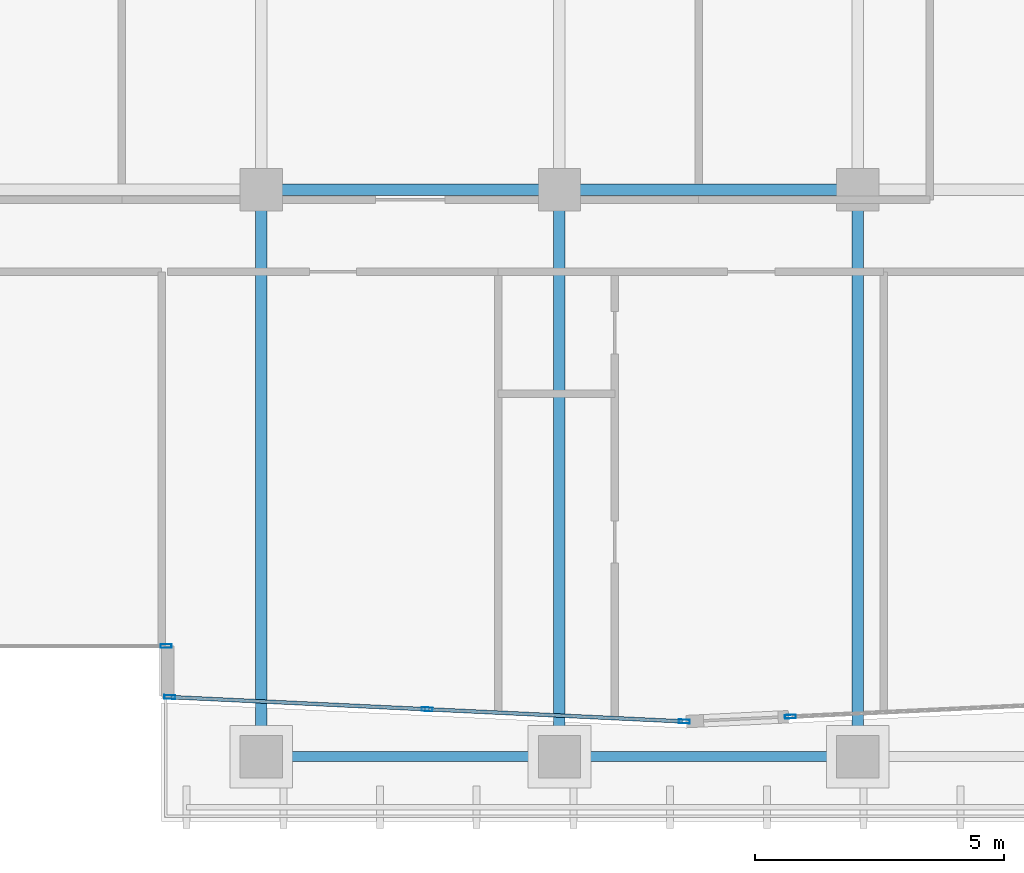
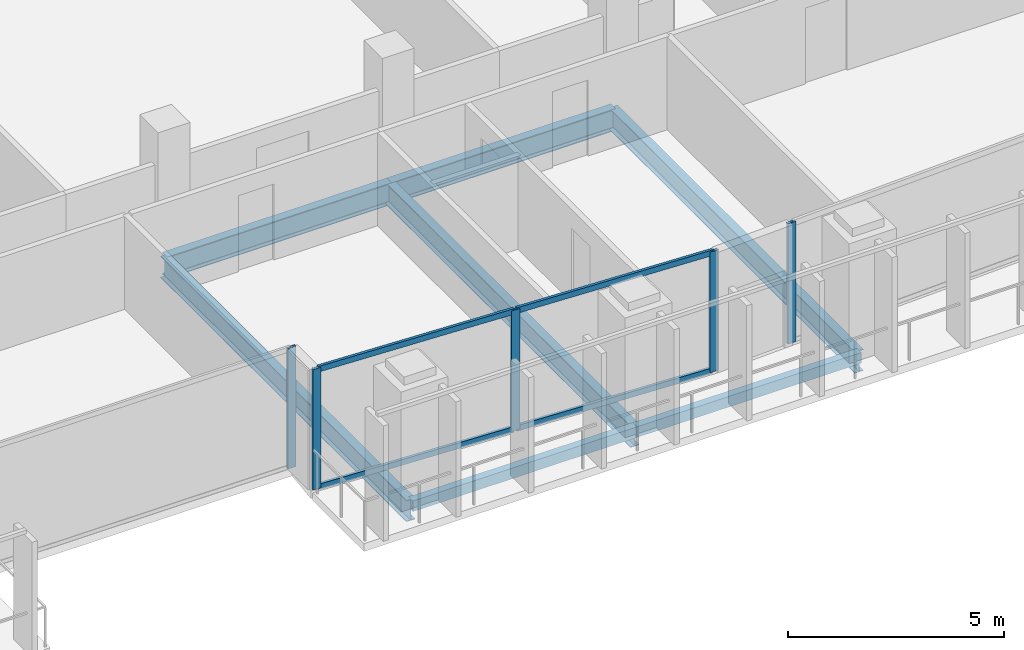
# One storey, part 5 of 28: 9 members, 7 beams, 3 elements without a shape of their own.
"""IFC4 building model written with IfcOpenShell, lengths in metres."""

from ifc_helpers import new_model, si_unit, direction, frame, origin, origin_2d, place, context, subcontext, project, spatial, hollow_rectangle, i_section, extrude, material, layer, layer_set, material_profile, profile_set, type_object, element, aggregate, save


model = new_model("IFC4")

# Units and contexts
model_context = context("Model", 3, precision=1e-05, world=origin(), true_north=direction((0.0, 1.0)))
body_context = subcontext(model_context, "Body", "Model", "MODEL_VIEW")
ifc_project = project(units=[si_unit("LENGTHUNIT", "METRE"), si_unit("AREAUNIT", "SQUARE_METRE"), si_unit("VOLUMEUNIT", "CUBIC_METRE"), si_unit("PLANEANGLEUNIT", "RADIAN"), si_unit("MASSUNIT", "GRAM", prefix="KILO")], contexts=[model_context])

# Site, building, storey
site_placement = place(None, origin())
site = spatial("IfcSite", under=ifc_project, at=site_placement, CompositionType="ELEMENT")
building_placement = place(site_placement, origin())
building = spatial("IfcBuilding", under=site, at=building_placement, Name="Tanjung Sevakor Pilgrim Tower", CompositionType="ELEMENT")
storey_placement = place(building_placement, frame((0.0, 0.0, 158.39990234375)))
storey = spatial("IfcBuildingStorey", under=building, at=storey_placement, Name="L44", CompositionType="ELEMENT", Elevation=158.39990234375)

# Beams
ifc_material_1 = material(Name="Steel S355J2", Category="steel")
ifc_material_profile_1 = material_profile(ifc_material_1, i_section(OverallWidth=0.230224609375, OverallDepth=0.6171875, WebThickness=0.01318359375, FlangeThickness=0.022216796875, FilletRadius=0.0126953125, at=origin_2d()))
ifc_profile_set_1 = profile_set([ifc_material_profile_1], Name="Steel S355J2")
beam_type_1 = type_object("IfcBeamType", Name="BM-B-G3-UB_610x229x140", PredefinedType="BEAM", material=ifc_profile_set_1)
for number, where, z_axis, x_axis, name in (
    (1, (54.0, 24.60009765625, -0.528564453125), (1.0, 0.0, 0.0), (0.0, 1.0, 0.0), "L44 Primary Floor Girder MAIN Y246-04"),
    (2, (60.0, 24.60009765625, -0.528564453125), (1.0, 0.0, 0.0), (0.0, 1.0, 0.0), "L44 Primary Floor Girder MAIN Y246-05"),
):
    element("IfcBeam", number, at=place(storey_placement, frame(where, z_axis=z_axis, x_axis=x_axis)), inside=storey, type_object=beam_type_1, Name=name, PredefinedType="BEAM", context=body_context, shape_type="SweptSolid", body=[
        extrude(i_section(OverallWidth=0.230224609375, OverallDepth=0.6171875, WebThickness=0.01318359375, FlangeThickness=0.022216796875, FilletRadius=0.0126953125, at=origin_2d()), origin(), (0.0, 0.0, 1.0), 6.0),
    ])
ifc_material_2 = material(Name="Steel S355J2", Category="steel")
ifc_material_profile_2 = material_profile(ifc_material_2, i_section(OverallWidth=0.22900390625, OverallDepth=0.6123046875, WebThickness=0.011962890625, FlangeThickness=0.01953125, FilletRadius=0.0126953125, at=origin_2d()))
ifc_profile_set_2 = profile_set([ifc_material_profile_2], Name="Steel S355J2")
beam_type_2 = type_object("IfcBeamType", Name="BM-B-G4-UB_610x229x125", PredefinedType="BEAM", material=ifc_profile_set_2)
for number, where, z_axis, x_axis, name in (
    (3, (54.0, 13.199951171875, -0.526123046875), (0.0, 1.0, 0.0), (-1.0, 0.0, 0.0), "L44 MAIN Girder 011"),
    (4, (60.0, 13.199951171875, -0.526123046875), (0.0, 1.0, 0.0), (-1.0, 0.0, 0.0), "L44 MAIN Girder 014"),
    (5, (66.0, 13.199951171875, -0.526123046875), (0.0, 1.0, 0.0), (-1.0, 0.0, 0.0), "L44 MAIN Girder 017"),
):
    element("IfcBeam", number, at=place(storey_placement, frame(where, z_axis=z_axis, x_axis=x_axis)), inside=storey, type_object=beam_type_2, Name=name, PredefinedType="BEAM", context=body_context, shape_type="SweptSolid", body=[
        extrude(i_section(OverallWidth=0.22900390625, OverallDepth=0.6123046875, WebThickness=0.011962890625, FlangeThickness=0.01953125, FilletRadius=0.0126953125, at=origin_2d()), origin(), (0.0, 0.0, 1.0), 11.400146484375),
    ])
ifc_material_3 = material(Name="Steel S355J2", Category="steel")
ifc_material_profile_3 = material_profile(ifc_material_3, hollow_rectangle(XDim=0.199951171875, YDim=0.300048828125, WallThickness=0.012451171875, at=origin_2d()))
ifc_profile_set_3 = profile_set([ifc_material_profile_3], Name="Steel S355J2")
beam_type_3 = type_object("IfcBeamType", Name="BM-B-SP3-RHS_300x200x12.5", PredefinedType="SPANDREL", material=ifc_profile_set_3)
for number, where, z_axis, x_axis, name in (
    (6, (54.0, 13.199951171875, -0.369873046875), (1.0, 0.0, 0.0), (0.0, 1.0, 0.0), "L44 Spandrel MAIN S-07"),
    (7, (60.0, 13.199951171875, -0.369873046875), (1.0, 0.0, 0.0), (0.0, 1.0, 0.0), "L44 Spandrel MAIN S-09"),
):
    element("IfcBeam", number, at=place(storey_placement, frame(where, z_axis=z_axis, x_axis=x_axis)), inside=storey, type_object=beam_type_3, Name=name, PredefinedType="SPANDREL", context=body_context, shape_type="SweptSolid", body=[
        extrude(hollow_rectangle(XDim=0.199951171875, YDim=0.300048828125, WallThickness=0.012451171875, at=origin_2d()), origin(), (0.0, 0.0, 1.0), 6.0),
    ])

# Curtain wall, member
ifc_material_4 = material(Name="Aluminium 6063-T6 and Low-E Glass", Category="aluminium")
ifc_layer_1 = layer(ifc_material_4, 0.179931640625)
ifc_layer_set_1 = layer_set([ifc_layer_1], Name="CW-SYS-CLEFT")
curtain_wall_type_1 = type_object("IfcCurtainWallType", Name="CW-SYS-CLEFT", PredefinedType="NOTDEFINED", material=ifc_layer_set_1)
curtain_wall_1_placement = place(storey_placement, origin())
curtain_wall_1 = element("IfcCurtainWall", 8, at=curtain_wall_1_placement, inside=storey, type_object=curtain_wall_type_1, Name="L44 Curtain Wall CW-CLF-L44-7", PredefinedType="NOTDEFINED")
ifc_material_5 = material(Name="Aluminium 6063-T6", Category="aluminium")
ifc_material_profile_4 = material_profile(ifc_material_5, hollow_rectangle(XDim=0.074951171875, YDim=0.219970703125, WallThickness=0.0048828125, at=origin_2d()))
ifc_profile_set_4 = profile_set([ifc_material_profile_4], Name="Aluminium 6063-T6")
member_type_1 = type_object("IfcMemberType", Name="TYPE-CWM-2", PredefinedType="MULLION", material=ifc_profile_set_4)
member_1_placement = place(storey_placement, frame((52.08740234375, 15.425048828125, 0.0), z_axis=(0.0, 0.0, 1.0), x_axis=(0.0, 1.0, 0.0)))
member_1 = element("IfcMember", 9, at=member_1_placement, type_object=member_type_1, Name="CW-CLF mullion 2", PredefinedType="MULLION", context=body_context, shape_type="SweptSolid", body=[
    extrude(hollow_rectangle(XDim=0.074951171875, YDim=0.219970703125, WallThickness=0.0048828125, at=origin_2d()), origin(), (0.0, 0.0, 1.0), 3.41015625),
])
aggregate(curtain_wall_1, [member_1])

# Curtain wall, members
ifc_material_6 = material(Name="Aluminium 6063-T6 and Low-E Glass", Category="aluminium")
ifc_layer_2 = layer(ifc_material_6, 0.199951171875)
ifc_layer_set_2 = layer_set([ifc_layer_2], Name="CW-SYS-PRAY")
curtain_wall_type_2 = type_object("IfcCurtainWallType", Name="CW-SYS-PRAY", PredefinedType="NOTDEFINED", material=ifc_layer_set_2)
curtain_wall_2_placement = place(storey_placement, origin())
curtain_wall_2 = element("IfcCurtainWall", 10, at=curtain_wall_2_placement, inside=storey, type_object=curtain_wall_type_2, Name="L44 Curtain Wall CW-PRY-L44-9", PredefinedType="NOTDEFINED")
member_2_placement = place(storey_placement, frame((52.162353515625, 14.3974609375, 0.0), z_axis=(0.0, 0.0, 1.0), x_axis=(0.047342539306, 0.998878713344, 0.0)))
member_2 = element("IfcMember", 11, at=member_2_placement, type_object=member_type_1, Name="CW-PRY mullion 1", PredefinedType="MULLION", context=body_context, shape_type="SweptSolid", body=[
    extrude(hollow_rectangle(XDim=0.074951171875, YDim=0.219970703125, WallThickness=0.0048828125, at=origin_2d()), origin(), (0.0, 0.0, 1.0), 3.41015625),
])
member_3_placement = place(storey_placement, frame((57.33740234375, 14.152099609375, 0.0), z_axis=(0.0, 0.0, 1.0), x_axis=(0.047342539306, 0.998878713344, 0.0)))
member_3 = element("IfcMember", 12, at=member_3_placement, type_object=member_type_1, Name="CW-PRY mullion 2", PredefinedType="MULLION", context=body_context, shape_type="SweptSolid", body=[
    extrude(hollow_rectangle(XDim=0.074951171875, YDim=0.219970703125, WallThickness=0.0048828125, at=origin_2d()), origin(), (0.0, 0.0, 1.0), 3.41015625),
])
member_4_placement = place(storey_placement, frame((62.512451171875, 13.906982421875, 0.0), z_axis=(0.0, 0.0, 1.0), x_axis=(0.047342539306, 0.998878713344, 0.0)))
member_4 = element("IfcMember", 13, at=member_4_placement, type_object=member_type_1, Name="CW-PRY mullion 3", PredefinedType="MULLION", context=body_context, shape_type="SweptSolid", body=[
    extrude(hollow_rectangle(XDim=0.074951171875, YDim=0.219970703125, WallThickness=0.0048828125, at=origin_2d()), origin(), (0.0, 0.0, 1.0), 3.41015625),
])

# Curtain wall, member
curtain_wall_3_placement = place(storey_placement, origin())
curtain_wall_3 = element("IfcCurtainWall", 14, at=curtain_wall_3_placement, inside=storey, type_object=curtain_wall_type_2, Name="L44 Curtain Wall CW-PRY-L44-10B", PredefinedType="NOTDEFINED")
member_5_placement = place(storey_placement, frame((64.645263671875, 14.00439453125, 0.0), z_axis=(0.0, 0.0, 1.0), x_axis=(-0.047352083849, 0.998878260928, 0.0)))
member_5 = element("IfcMember", 15, at=member_5_placement, type_object=member_type_1, Name="CW-PRY mullion 1", PredefinedType="MULLION", context=body_context, shape_type="SweptSolid", body=[
    extrude(hollow_rectangle(XDim=0.074951171875, YDim=0.219970703125, WallThickness=0.0048828125, at=origin_2d()), origin(), (0.0, 0.0, 1.0), 3.41015625),
])
aggregate(curtain_wall_3, [member_5])

# Member
ifc_material_7 = material(Name="Aluminium 6063-T6", Category="aluminium")
ifc_material_profile_5 = material_profile(ifc_material_7, hollow_rectangle(XDim=0.074951171875, YDim=0.159912109375, WallThickness=0.00439453125, at=origin_2d()))
ifc_profile_set_5 = profile_set([ifc_material_profile_5], Name="Aluminium 6063-T6")
member_type_2 = type_object("IfcMemberType", Name="TYPE-CWT-2", PredefinedType="USERDEFINED", material=ifc_profile_set_5)
member_6_placement = place(storey_placement, frame((52.199951171875, 14.395751953125, 0.03759765625), z_axis=(0.998876667903, -0.047385676299, 0.0), x_axis=(0.047385676299, 0.998876667903, 0.0)))
member_6 = element("IfcMember", 16, at=member_6_placement, type_object=member_type_2, Name="CW-PRY transom 1.1", ObjectType="TRANSOM", PredefinedType="USERDEFINED", context=body_context, shape_type="SweptSolid", body=[
    extrude(hollow_rectangle(XDim=0.074951171875, YDim=0.159912109375, WallThickness=0.00439453125, at=origin_2d()), origin(), (0.0, 0.0, 1.0), 5.105712890625),
])

member_7_placement = place(storey_placement, frame((52.199951171875, 14.395751953125, 3.37255859375), z_axis=(0.998876667903, -0.047385676299, 0.0), x_axis=(0.047385676299, 0.998876667903, 0.0)))
member_7 = element("IfcMember", 17, at=member_7_placement, type_object=member_type_2, Name="CW-PRY transom 1.2", ObjectType="TRANSOM", PredefinedType="USERDEFINED", context=body_context, shape_type="SweptSolid", body=[
    extrude(hollow_rectangle(XDim=0.074951171875, YDim=0.159912109375, WallThickness=0.00439453125, at=origin_2d()), origin(), (0.0, 0.0, 1.0), 5.105712890625),
])

member_8_placement = place(storey_placement, frame((57.375, 14.150390625, 0.03759765625), z_axis=(0.998878930018, -0.047337967483, 0.0), x_axis=(0.047337967483, 0.998878930018, 0.0)))
member_8 = element("IfcMember", 18, at=member_8_placement, type_object=member_type_2, Name="CW-PRY transom 2.1", ObjectType="TRANSOM", PredefinedType="USERDEFINED", context=body_context, shape_type="SweptSolid", body=[
    extrude(hollow_rectangle(XDim=0.074951171875, YDim=0.159912109375, WallThickness=0.00439453125, at=origin_2d()), origin(), (0.0, 0.0, 1.0), 5.105712890625),
])

member_9_placement = place(storey_placement, frame((57.375, 14.150390625, 3.37255859375), z_axis=(0.998878930018, -0.047337967483, 0.0), x_axis=(0.047337967483, 0.998878930018, 0.0)))
member_9 = element("IfcMember", 19, at=member_9_placement, type_object=member_type_2, Name="CW-PRY transom 2.2", ObjectType="TRANSOM", PredefinedType="USERDEFINED", context=body_context, shape_type="SweptSolid", body=[
    extrude(hollow_rectangle(XDim=0.074951171875, YDim=0.159912109375, WallThickness=0.00439453125, at=origin_2d()), origin(), (0.0, 0.0, 1.0), 5.105712890625),
])

aggregate(curtain_wall_2, [member_2, member_3, member_4, member_6, member_7, member_8, member_9])

save(model, "model.ifc")
